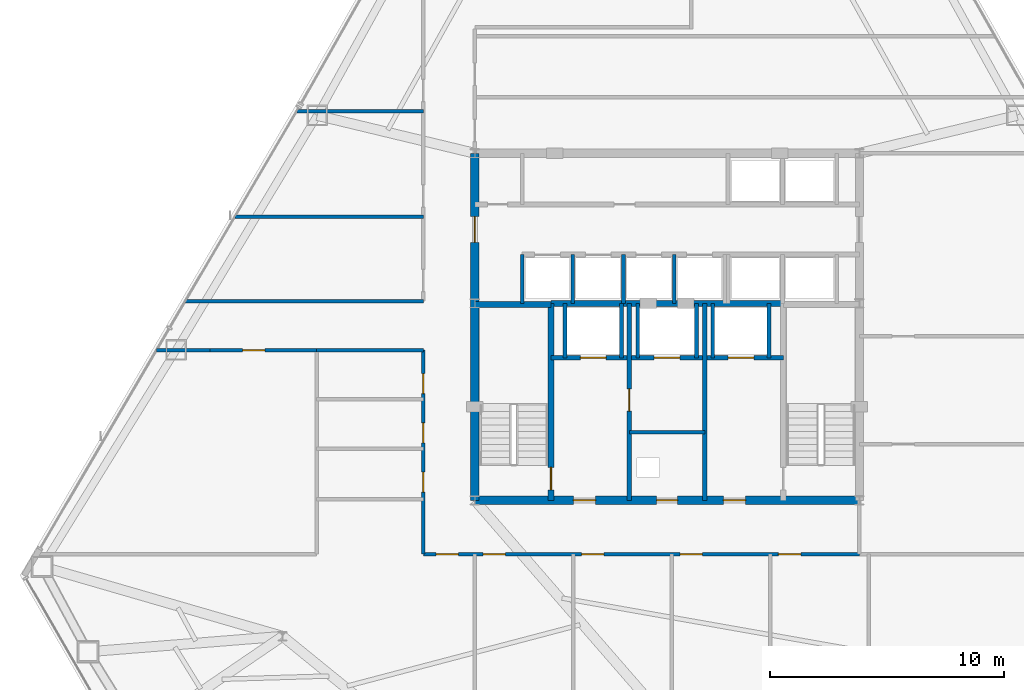
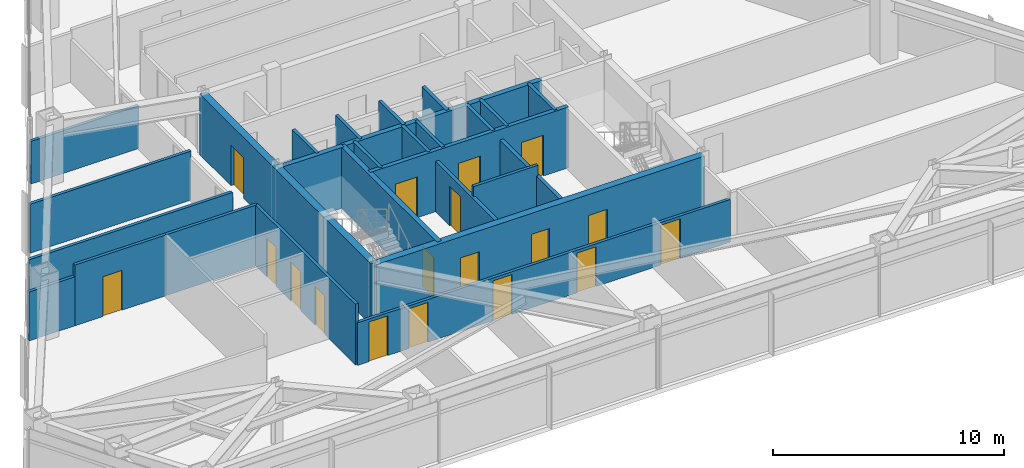
# One storey, part 10 of 13: 27 walls, 18 doors, 18 openings.
"""IFC4 building model written with IfcOpenShell, lengths in metres."""

from ifc_helpers import new_model, si_unit, direction, frame, frame_2d, origin, place, context, subcontext, project, spatial, rectangle, extrude, material, layer, layer_set, type_object, element, fill, save


model = new_model("IFC4")

# Units and contexts
model_context = context("Model", 3, precision=1e-05, world=origin(), true_north=direction((0.0, 1.0)))
body_context = subcontext(model_context, "Body", "Model", "MODEL_VIEW")
ifc_project = project(units=[si_unit("LENGTHUNIT", "METRE"), si_unit("AREAUNIT", "SQUARE_METRE"), si_unit("VOLUMEUNIT", "CUBIC_METRE"), si_unit("PLANEANGLEUNIT", "RADIAN"), si_unit("MASSUNIT", "GRAM", prefix="KILO")], contexts=[model_context])

# Site, building, storey
site_placement = place(None, origin())
site = spatial("IfcSite", under=ifc_project, at=site_placement, CompositionType="ELEMENT")
building_placement = place(site_placement, origin())
building = spatial("IfcBuilding", under=site, at=building_placement, Name="Varakhsha Concourse Tower", CompositionType="ELEMENT")
storey_placement = place(building_placement, frame((0.0, 0.0, 133.25)))
storey = spatial("IfcBuildingStorey", under=building, at=storey_placement, Name="L38", CompositionType="ELEMENT", Elevation=133.25)

# Wall, openings, doors
ifc_material_1 = material(Name="Concrete fc 65 MPa", Category="concrete")
ifc_layer_1 = layer(ifc_material_1, 0.35009765625, Name="WL-CORE-350")
ifc_layer_set_1 = layer_set([ifc_layer_1], Name="Concrete fc 65 MPa")
wall_type_1 = type_object("IfcWallType", Name="WL-CORE-350", PredefinedType="SHEAR", material=ifc_layer_set_1)
wall_1_placement = place(storey_placement, frame((31.800048828125, 16.39990234375, 0.0), z_axis=(0.0, 0.0, 1.0), x_axis=(1.0, 0.0, 0.0)))
wall_1 = element("IfcWall", 1, at=wall_1_placement, inside=storey, type_object=wall_type_1, Name="L38 Wall CWALL-S-L38", PredefinedType="SHEAR", context=body_context, shape_type="SweptSolid", body=[
    extrude(rectangle(XDim=16.39990234375, YDim=0.35009765625, at=frame_2d((8.199951171875, 0.0))), origin(), (0.0, 0.0, 1.0), 3.2099609375),
])
opening_1_placement = place(wall_1_placement, frame((7.75, 0.0, 0.0)))
opening_1 = element("IfcOpeningElement", 2, at=opening_1_placement, cuts=wall_1, Name="Opening DF-06", PredefinedType="OPENING", context=body_context, shape_type="SweptSolid", body=[
    extrude(rectangle(XDim=0.89990234375, YDim=2.10009765625, at=frame_2d((0.449951171875, 1.050048828125))), frame((0.0, 0.18505859375, 0.0), z_axis=(0.0, -1.0, 0.0), x_axis=(1.0, 0.0, 0.0)), (0.0, 0.0, 1.0), 0.3701171875),
])
opening_2_placement = place(wall_1_placement, frame((4.199951171875, 0.0, 0.0)))
opening_2 = element("IfcOpeningElement", 3, at=opening_2_placement, cuts=wall_1, Name="Opening DF-05", PredefinedType="OPENING", context=body_context, shape_type="SweptSolid", body=[
    extrude(rectangle(XDim=0.949951171875, YDim=2.10009765625, at=frame_2d((0.47509765625, 1.050048828125))), frame((0.0, 0.18505859375, 0.0), z_axis=(0.0, -1.0, 0.0), x_axis=(1.0, 0.0, 0.0)), (0.0, 0.0, 1.0), 0.3701171875),
])
opening_3_placement = place(wall_1_placement, frame((10.60009765625, 0.0, 0.0)))
opening_3 = element("IfcOpeningElement", 4, at=opening_3_placement, cuts=wall_1, Name="Opening DF-05", PredefinedType="OPENING", context=body_context, shape_type="SweptSolid", body=[
    extrude(rectangle(XDim=0.949951171875, YDim=2.10009765625, at=frame_2d((0.47509765625, 1.050048828125))), frame((0.0, 0.18505859375, 0.0), z_axis=(0.0, -1.0, 0.0), x_axis=(1.0, 0.0, 0.0)), (0.0, 0.0, 1.0), 0.3701171875),
])
ifc_material_2 = material(Name="Hollow Galvanised Steel Fire Door Assembly", Category="steel")
door_type_1 = type_object("IfcDoorType", Name="DR-FD60-900", OperationType="NOTDEFINED", PredefinedType="DOOR", material=ifc_material_2)
door_1_placement = place(opening_1_placement, origin())
door_1 = element("IfcDoor", 5, at=door_1_placement, inside=storey, type_object=door_type_1, Name="L38 Electrical Riser Access Door", OperationType="SINGLE_SWING_LEFT", OverallHeight=2.10009765625, OverallWidth=0.89990234375, PredefinedType="DOOR", context=body_context, shape_type="SweptSolid", body=[
    extrude(rectangle(XDim=0.89990234375, YDim=2.10009765625, at=frame_2d((0.449951171875, 1.050048828125))), frame((0.0, 0.02490234375, 0.0), z_axis=(0.0, -1.0, 0.0), x_axis=(1.0, 0.0, 0.0)), (0.0, 0.0, 1.0), 0.050048828125),
])
fill(opening_1, door_1)
door_type_2 = type_object("IfcDoorType", Name="DR-FD60-950", OperationType="NOTDEFINED", PredefinedType="DOOR", material=ifc_material_2)
door_2_placement = place(opening_2_placement, origin())
door_2 = element("IfcDoor", 6, at=door_2_placement, inside=storey, type_object=door_type_2, Name="L38 Firefighting Lobby West Door", OperationType="SINGLE_SWING_RIGHT", OverallHeight=2.10009765625, OverallWidth=0.949951171875, PredefinedType="DOOR", context=body_context, shape_type="SweptSolid", body=[
    extrude(rectangle(XDim=0.949951171875, YDim=2.10009765625, at=frame_2d((0.47509765625, 1.050048828125))), frame((0.0, 0.02490234375, 0.0), z_axis=(0.0, -1.0, 0.0), x_axis=(1.0, 0.0, 0.0)), (0.0, 0.0, 1.0), 0.050048828125),
])
fill(opening_2, door_2)
door_3_placement = place(opening_3_placement, origin())
door_3 = element("IfcDoor", 7, at=door_3_placement, inside=storey, type_object=door_type_2, Name="L38 Firefighting Lobby East Door", OperationType="SINGLE_SWING_LEFT", OverallHeight=2.10009765625, OverallWidth=0.949951171875, PredefinedType="DOOR", context=body_context, shape_type="SweptSolid", body=[
    extrude(rectangle(XDim=0.949951171875, YDim=2.10009765625, at=frame_2d((0.47509765625, 1.050048828125))), frame((0.0, 0.02490234375, 0.0), z_axis=(0.0, -1.0, 0.0), x_axis=(1.0, 0.0, 0.0)), (0.0, 0.0, 1.0), 0.050048828125),
])
fill(opening_3, door_3)

# Wall, opening, door
wall_2_placement = place(storey_placement, frame((31.800048828125, 16.39990234375, 0.0), z_axis=(0.0, 0.0, 1.0), x_axis=(0.0, 1.0, 0.0)))
wall_2 = element("IfcWall", 8, at=wall_2_placement, inside=storey, type_object=wall_type_1, Name="L38 Wall CWALL-W-L38", PredefinedType="SHEAR", context=body_context, shape_type="SweptSolid", body=[
    extrude(rectangle(XDim=14.800048828125, YDim=0.35009765625, at=frame_2d((7.39990234375, 0.0))), origin(), (0.0, 0.0, 1.0), 3.2099609375),
])
opening_4_placement = place(wall_2_placement, frame((11.0, 0.0, 0.0)))
opening_4 = element("IfcOpeningElement", 9, at=opening_4_placement, cuts=wall_2, Name="Opening DL-01", PredefinedType="OPENING", context=body_context, shape_type="SweptSolid", body=[
    extrude(rectangle(XDim=1.10009765625, YDim=2.14990234375, at=frame_2d((0.550048828125, 1.074951171875))), frame((0.0, 0.18505859375, 0.0), z_axis=(0.0, -1.0, 0.0), x_axis=(1.0, 0.0, 0.0)), (0.0, 0.0, 1.0), 0.3701171875),
])
ifc_material_3 = material(Name="Anodised Bronze Architectural Aluminium AA 6063-T6", Category="aluminium")
door_type_3 = type_object("IfcDoorType", Name="DR-LOB-1100", OperationType="NOTDEFINED", PredefinedType="DOOR", material=ifc_material_3)
door_4_placement = place(opening_4_placement, origin())
door_4 = element("IfcDoor", 10, at=door_4_placement, inside=storey, type_object=door_type_3, Name="L38 Lift Lobby West Concourse Door", OperationType="SINGLE_SWING_LEFT", OverallHeight=2.14990234375, OverallWidth=1.10009765625, PredefinedType="DOOR", context=body_context, shape_type="SweptSolid", body=[
    extrude(rectangle(XDim=1.10009765625, YDim=2.14990234375, at=frame_2d((0.550048828125, 1.074951171875))), frame((0.0, 0.02490234375, 0.0), z_axis=(0.0, -1.0, 0.0), x_axis=(1.0, 0.0, 0.0)), (0.0, 0.0, 1.0), 0.050048828125),
])
fill(opening_4, door_4)

ifc_material_4 = material(Name="Fire-Rated Type X Gypsum Partition Assembly", Category="gypsum")
ifc_layer_2 = layer(ifc_material_4, 0.179931640625, Name="WL-FFLOB-180")
ifc_layer_set_2 = layer_set([ifc_layer_2], Name="Fire-Rated Type X Gypsum Partition Assembly")
wall_type_2 = type_object("IfcWallType", Name="WL-FFLOB-180", PredefinedType="PARTITIONING", material=ifc_layer_set_2)
wall_3_placement = place(storey_placement, frame((38.389892578125, 16.39990234375, 0.0), z_axis=(0.0, 0.0, 1.0), x_axis=(0.0, 1.0, 0.0)))
wall_3 = element("IfcWall", 11, at=wall_3_placement, inside=storey, type_object=wall_type_2, Name="L38 Wall FFW-1E-L38", PredefinedType="PARTITIONING", context=body_context, shape_type="SweptSolid", body=[
    extrude(rectangle(XDim=8.400146484375, YDim=0.179931640625, at=frame_2d((4.2001953125, 0.0))), origin(), (0.0, 0.0, 1.0), 2.660888671875),
])
opening_5_placement = place(wall_3_placement, frame((3.800048828125, 0.0, 0.0)))
opening_5 = element("IfcOpeningElement", 12, at=opening_5_placement, cuts=wall_3, Name="Opening DF-05", PredefinedType="OPENING", context=body_context, shape_type="SweptSolid", body=[
    extrude(rectangle(XDim=0.949951171875, YDim=2.10009765625, at=frame_2d((0.47509765625, 1.050048828125))), frame((0.0, 0.099853515625, 0.0), z_axis=(0.0, -1.0, 0.0), x_axis=(1.0, 0.0, 0.0)), (0.0, 0.0, 1.0), 0.199951171875),
])
door_5_placement = place(opening_5_placement, origin())
door_5 = element("IfcDoor", 13, at=door_5_placement, inside=storey, type_object=door_type_2, Name="L38 Service Vestibule Door", OperationType="SINGLE_SWING_RIGHT", OverallHeight=2.10009765625, OverallWidth=0.949951171875, PredefinedType="DOOR", context=body_context, shape_type="SweptSolid", body=[
    extrude(rectangle(XDim=0.949951171875, YDim=2.10009765625, at=frame_2d((0.47509765625, 1.050048828125))), frame((0.0, 0.02490234375, 0.0), z_axis=(0.0, -1.0, 0.0), x_axis=(1.0, 0.0, 0.0)), (0.0, 0.0, 1.0), 0.050048828125),
])
fill(opening_5, door_5)

# Walls
wall_4_placement = place(storey_placement, frame((41.610107421875, 16.39990234375, 0.0), z_axis=(0.0, 0.0, 1.0), x_axis=(0.0, 1.0, 0.0)))
element("IfcWall", 14, at=wall_4_placement, inside=storey, type_object=wall_type_2, Name="L38 Wall FFW-2W-L38", PredefinedType="PARTITIONING", context=body_context, shape_type="SweptSolid", body=[
    extrude(rectangle(XDim=8.400146484375, YDim=0.179931640625, at=frame_2d((4.2001953125, 0.0))), origin(), (0.0, 0.0, 1.0), 2.660888671875),
])
ifc_layer_3 = layer(ifc_material_4, 0.14990234375, Name="WL-PART-150")
ifc_layer_set_3 = layer_set([ifc_layer_3], Name="Fire-Rated Type X Gypsum Partition Assembly")
wall_type_3 = type_object("IfcWallType", Name="WL-PART-150", PredefinedType="PARTITIONING", material=ifc_layer_set_3)
wall_5_placement = place(storey_placement, frame((38.389892578125, 19.300048828125, 0.0), z_axis=(0.0, 0.0, 1.0), x_axis=(1.0, 0.0, 0.0)))
element("IfcWall", 15, at=wall_5_placement, inside=storey, type_object=wall_type_3, Name="L38 Wall RSW-H-L38", PredefinedType="PARTITIONING", context=body_context, shape_type="SweptSolid", body=[
    extrude(rectangle(XDim=3.22021484375, YDim=0.14990234375, at=frame_2d((1.610107421875, 0.0))), origin(), (0.0, 0.0, 1.0), 3.2099609375),
])

# Wall, openings, doors
wall_6_placement = place(storey_placement, frame((29.60009765625, 14.10009765625, 0.0), z_axis=(0.0, 0.0, 1.0), x_axis=(1.0, 0.0, 0.0)))
wall_6 = element("IfcWall", 16, at=wall_6_placement, inside=storey, type_object=wall_type_3, Name="L38 Wall CRW-S-L38", PredefinedType="PARTITIONING", context=body_context, shape_type="SweptSolid", body=[
    extrude(rectangle(XDim=18.599853515625, YDim=0.14990234375, at=frame_2d((9.2998046875, 0.0))), origin(), (0.0, 0.0, 1.0), 2.251953125),
])
opening_6_placement = place(wall_6_placement, frame((0.550048828125, 0.0, 0.0)))
opening_6 = element("IfcOpeningElement", 17, at=opening_6_placement, cuts=wall_6, Name="Opening DF-05", PredefinedType="OPENING", context=body_context, shape_type="SweptSolid", body=[
    extrude(rectangle(XDim=0.949951171875, YDim=2.10009765625, at=frame_2d((0.47509765625, 1.050048828125))), frame((0.0, 0.0849609375, 0.0), z_axis=(0.0, -1.0, 0.0), x_axis=(1.0, 0.0, 0.0)), (0.0, 0.0, 1.0), 0.169921875),
])
opening_7_placement = place(wall_6_placement, frame((2.550048828125, 0.0, 0.0)))
opening_7 = element("IfcOpeningElement", 18, at=opening_7_placement, cuts=wall_6, Name="Opening DF-05", PredefinedType="OPENING", context=body_context, shape_type="SweptSolid", body=[
    extrude(rectangle(XDim=0.949951171875, YDim=2.10009765625, at=frame_2d((0.47509765625, 1.050048828125))), frame((0.0, 0.0849609375, 0.0), z_axis=(0.0, -1.0, 0.0), x_axis=(1.0, 0.0, 0.0)), (0.0, 0.0, 1.0), 0.169921875),
])
opening_8_placement = place(wall_6_placement, frame((6.75, 0.0, 0.0)))
opening_8 = element("IfcOpeningElement", 19, at=opening_8_placement, cuts=wall_6, Name="Opening DF-05", PredefinedType="OPENING", context=body_context, shape_type="SweptSolid", body=[
    extrude(rectangle(XDim=0.949951171875, YDim=2.10009765625, at=frame_2d((0.47509765625, 1.050048828125))), frame((0.0, 0.0849609375, 0.0), z_axis=(0.0, -1.0, 0.0), x_axis=(1.0, 0.0, 0.0)), (0.0, 0.0, 1.0), 0.169921875),
])
opening_9_placement = place(wall_6_placement, frame((10.949951171875, 0.0, 0.0)))
opening_9 = element("IfcOpeningElement", 20, at=opening_9_placement, cuts=wall_6, Name="Opening DF-05", PredefinedType="OPENING", context=body_context, shape_type="SweptSolid", body=[
    extrude(rectangle(XDim=0.949951171875, YDim=2.10009765625, at=frame_2d((0.47509765625, 1.050048828125))), frame((0.0, 0.0849609375, 0.0), z_axis=(0.0, -1.0, 0.0), x_axis=(1.0, 0.0, 0.0)), (0.0, 0.0, 1.0), 0.169921875),
])
opening_10_placement = place(wall_6_placement, frame((15.14990234375, 0.0, 0.0)))
opening_10 = element("IfcOpeningElement", 21, at=opening_10_placement, cuts=wall_6, Name="Opening DF-05", PredefinedType="OPENING", context=body_context, shape_type="SweptSolid", body=[
    extrude(rectangle(XDim=0.949951171875, YDim=2.10009765625, at=frame_2d((0.47509765625, 1.050048828125))), frame((0.0, 0.0849609375, 0.0), z_axis=(0.0, -1.0, 0.0), x_axis=(1.0, 0.0, 0.0)), (0.0, 0.0, 1.0), 0.169921875),
])
door_6_placement = place(opening_6_placement, origin())
door_6 = element("IfcDoor", 22, at=door_6_placement, inside=storey, type_object=door_type_2, Name="L38 BIM Coordination Workroom L38-S1 Door", OperationType="SINGLE_SWING_LEFT", OverallHeight=2.10009765625, OverallWidth=0.949951171875, PredefinedType="DOOR", context=body_context, shape_type="SweptSolid", body=[
    extrude(rectangle(XDim=0.949951171875, YDim=2.10009765625, at=frame_2d((0.47509765625, 1.050048828125))), frame((0.0, 0.02490234375, 0.0), z_axis=(0.0, -1.0, 0.0), x_axis=(1.0, 0.0, 0.0)), (0.0, 0.0, 1.0), 0.050048828125),
])
fill(opening_6, door_6)
door_7_placement = place(opening_7_placement, origin())
door_7 = element("IfcDoor", 23, at=door_7_placement, inside=storey, type_object=door_type_2, Name="L38 Dry R&D Design Lab L38-S2 Door", OperationType="SINGLE_SWING_RIGHT", OverallHeight=2.10009765625, OverallWidth=0.949951171875, PredefinedType="DOOR", context=body_context, shape_type="SweptSolid", body=[
    extrude(rectangle(XDim=0.949951171875, YDim=2.10009765625, at=frame_2d((0.47509765625, 1.050048828125))), frame((0.0, 0.02490234375, 0.0), z_axis=(0.0, -1.0, 0.0), x_axis=(1.0, 0.0, 0.0)), (0.0, 0.0, 1.0), 0.050048828125),
])
fill(opening_7, door_7)
door_8_placement = place(opening_8_placement, origin())
door_8 = element("IfcDoor", 24, at=door_8_placement, inside=storey, type_object=door_type_2, Name="L38 Dry R&D Design Lab L38-S3 Door", OperationType="SINGLE_SWING_LEFT", OverallHeight=2.10009765625, OverallWidth=0.949951171875, PredefinedType="DOOR", context=body_context, shape_type="SweptSolid", body=[
    extrude(rectangle(XDim=0.949951171875, YDim=2.10009765625, at=frame_2d((0.47509765625, 1.050048828125))), frame((0.0, 0.02490234375, 0.0), z_axis=(0.0, -1.0, 0.0), x_axis=(1.0, 0.0, 0.0)), (0.0, 0.0, 1.0), 0.050048828125),
])
fill(opening_8, door_8)
door_9_placement = place(opening_9_placement, origin())
door_9 = element("IfcDoor", 25, at=door_9_placement, inside=storey, type_object=door_type_2, Name="L38 Dry R&D Design Lab L38-S4 Door", OperationType="SINGLE_SWING_RIGHT", OverallHeight=2.10009765625, OverallWidth=0.949951171875, PredefinedType="DOOR", context=body_context, shape_type="SweptSolid", body=[
    extrude(rectangle(XDim=0.949951171875, YDim=2.10009765625, at=frame_2d((0.47509765625, 1.050048828125))), frame((0.0, 0.02490234375, 0.0), z_axis=(0.0, -1.0, 0.0), x_axis=(1.0, 0.0, 0.0)), (0.0, 0.0, 1.0), 0.050048828125),
])
fill(opening_9, door_9)
door_10_placement = place(opening_10_placement, origin())
door_10 = element("IfcDoor", 26, at=door_10_placement, inside=storey, type_object=door_type_2, Name="L38 Dry R&D Design Lab L38-S5 Door", OperationType="SINGLE_SWING_LEFT", OverallHeight=2.10009765625, OverallWidth=0.949951171875, PredefinedType="DOOR", context=body_context, shape_type="SweptSolid", body=[
    extrude(rectangle(XDim=0.949951171875, YDim=2.10009765625, at=frame_2d((0.47509765625, 1.050048828125))), frame((0.0, 0.02490234375, 0.0), z_axis=(0.0, -1.0, 0.0), x_axis=(1.0, 0.0, 0.0)), (0.0, 0.0, 1.0), 0.050048828125),
])
fill(opening_10, door_10)

wall_7_placement = place(storey_placement, frame((29.60009765625, 14.10009765625, 0.0), z_axis=(0.0, 0.0, 1.0), x_axis=(0.0, 1.0, 0.0)))
wall_7 = element("IfcWall", 27, at=wall_7_placement, inside=storey, type_object=wall_type_3, Name="L38 Wall CRW-WS-L38", PredefinedType="PARTITIONING", context=body_context, shape_type="SweptSolid", body=[
    extrude(rectangle(XDim=8.699951171875, YDim=0.14990234375, at=frame_2d((4.35009765625, 0.0))), origin(), (0.0, 0.0, 1.0), 3.2099609375),
])
opening_11_placement = place(wall_7_placement, frame((2.64990234375, 0.0, 0.0)))
opening_11 = element("IfcOpeningElement", 28, at=opening_11_placement, cuts=wall_7, Name="Opening DF-07", PredefinedType="OPENING", context=body_context, shape_type="SweptSolid", body=[
    extrude(rectangle(XDim=0.85009765625, YDim=2.050048828125, at=frame_2d((0.425048828125, 1.02490234375))), frame((0.0, 0.0849609375, 0.0), z_axis=(0.0, -1.0, 0.0), x_axis=(1.0, 0.0, 0.0)), (0.0, 0.0, 1.0), 0.169921875),
])
opening_12_placement = place(wall_7_placement, frame((4.75, 0.0, 0.0)))
opening_12 = element("IfcOpeningElement", 29, at=opening_12_placement, cuts=wall_7, Name="Opening DF-07", PredefinedType="OPENING", context=body_context, shape_type="SweptSolid", body=[
    extrude(rectangle(XDim=0.85009765625, YDim=2.050048828125, at=frame_2d((0.425048828125, 1.02490234375))), frame((0.0, 0.0849609375, 0.0), z_axis=(0.0, -1.0, 0.0), x_axis=(1.0, 0.0, 0.0)), (0.0, 0.0, 1.0), 0.169921875),
])
opening_13_placement = place(wall_7_placement, frame((6.85009765625, 0.0, 0.0)))
opening_13 = element("IfcOpeningElement", 30, at=opening_13_placement, cuts=wall_7, Name="Opening DF-07", PredefinedType="OPENING", context=body_context, shape_type="SweptSolid", body=[
    extrude(rectangle(XDim=0.85009765625, YDim=2.050048828125, at=frame_2d((0.425048828125, 1.02490234375))), frame((0.0, 0.0849609375, 0.0), z_axis=(0.0, -1.0, 0.0), x_axis=(1.0, 0.0, 0.0)), (0.0, 0.0, 1.0), 0.169921875),
])
door_type_4 = type_object("IfcDoorType", Name="DR-FD60-850", OperationType="NOTDEFINED", PredefinedType="DOOR", material=ifc_material_2)
door_11_placement = place(opening_11_placement, origin())
door_11 = element("IfcDoor", 31, at=door_11_placement, inside=storey, type_object=door_type_4, Name="L38 Men Restroom WC Door", OperationType="SINGLE_SWING_LEFT", OverallHeight=2.050048828125, OverallWidth=0.85009765625, PredefinedType="DOOR", context=body_context, shape_type="SweptSolid", body=[
    extrude(rectangle(XDim=0.85009765625, YDim=2.050048828125, at=frame_2d((0.425048828125, 1.02490234375))), frame((0.0, 0.02490234375, 0.0), z_axis=(0.0, -1.0, 0.0), x_axis=(1.0, 0.0, 0.0)), (0.0, 0.0, 1.0), 0.050048828125),
])
fill(opening_11, door_11)
door_12_placement = place(opening_12_placement, origin())
door_12 = element("IfcDoor", 32, at=door_12_placement, inside=storey, type_object=door_type_4, Name="L38 Women Restroom WC Door", OperationType="SINGLE_SWING_LEFT", OverallHeight=2.050048828125, OverallWidth=0.85009765625, PredefinedType="DOOR", context=body_context, shape_type="SweptSolid", body=[
    extrude(rectangle(XDim=0.85009765625, YDim=2.050048828125, at=frame_2d((0.425048828125, 1.02490234375))), frame((0.0, 0.02490234375, 0.0), z_axis=(0.0, -1.0, 0.0), x_axis=(1.0, 0.0, 0.0)), (0.0, 0.0, 1.0), 0.050048828125),
])
fill(opening_12, door_12)
door_13_placement = place(opening_13_placement, origin())
door_13 = element("IfcDoor", 33, at=door_13_placement, inside=storey, type_object=door_type_4, Name="L38 Accessible WC Door", OperationType="SINGLE_SWING_LEFT", OverallHeight=2.050048828125, OverallWidth=0.85009765625, PredefinedType="DOOR", context=body_context, shape_type="SweptSolid", body=[
    extrude(rectangle(XDim=0.85009765625, YDim=2.050048828125, at=frame_2d((0.425048828125, 1.02490234375))), frame((0.0, 0.02490234375, 0.0), z_axis=(0.0, -1.0, 0.0), x_axis=(1.0, 0.0, 0.0)), (0.0, 0.0, 1.0), 0.050048828125),
])
fill(opening_13, door_13)

# Walls
wall_8_placement = place(storey_placement, frame((18.2236328125, 22.800048828125, 0.0), z_axis=(0.0, 0.0, 1.0), x_axis=(1.0, 0.0, 0.0)))
element("IfcWall", 34, at=wall_8_placement, inside=storey, type_object=wall_type_3, Name="L38 Wall CRW-WWS-W-L38", PredefinedType="PARTITIONING", context=body_context, shape_type="SweptSolid", body=[
    extrude(rectangle(XDim=2.2763671875, YDim=0.14990234375, at=frame_2d((1.13818359375, 0.0))), origin(), (0.0, 0.0, 1.0), 2.589111328125),
])
wall_9_placement = place(storey_placement, frame((25.050048828125, 22.800048828125, 0.0), z_axis=(0.0, 0.0, 1.0), x_axis=(1.0, 0.0, 0.0)))
element("IfcWall", 35, at=wall_9_placement, inside=storey, type_object=wall_type_3, Name="L38 Wall CRW-WWS-E-L38", PredefinedType="PARTITIONING", context=body_context, shape_type="SweptSolid", body=[
    extrude(rectangle(XDim=4.550048828125, YDim=0.14990234375, at=frame_2d((2.27490234375, 0.0))), origin(), (0.0, 0.0, 1.0), 3.2099609375),
])
wall_10_placement = place(storey_placement, frame((19.455078125, 24.89990234375, 0.0), z_axis=(0.0, 0.0, 1.0), x_axis=(1.0, 0.0, 0.0)))
element("IfcWall", 36, at=wall_10_placement, inside=storey, type_object=wall_type_3, Name="L38 Wall CRW-WWN-L38", PredefinedType="PARTITIONING", context=body_context, shape_type="SweptSolid", body=[
    extrude(rectangle(XDim=10.14501953125, YDim=0.14990234375, at=frame_2d((5.072509765625, 0.0))), origin(), (0.0, 0.0, 1.0), 2.589111328125),
])

# Wall, opening, door
wall_11_placement = place(storey_placement, frame((20.5, 22.800048828125, 0.0), z_axis=(0.0, 0.0, 1.0), x_axis=(1.0, 0.0, 0.0)))
wall_11 = element("IfcWall", 37, at=wall_11_placement, inside=storey, type_object=wall_type_3, Name="L38 Wall CRW-WWS-DOOR-L38", PredefinedType="PARTITIONING", context=body_context, shape_type="SweptSolid", body=[
    extrude(rectangle(XDim=4.550048828125, YDim=0.14990234375, at=frame_2d((2.27490234375, 0.0))), origin(), (0.0, 0.0, 1.0), 3.2099609375),
])
opening_14_placement = place(wall_11_placement, frame((1.39990234375, 0.0, 0.0)))
opening_14 = element("IfcOpeningElement", 38, at=opening_14_placement, cuts=wall_11, Name="Opening DF-05", PredefinedType="OPENING", context=body_context, shape_type="SweptSolid", body=[
    extrude(rectangle(XDim=0.949951171875, YDim=2.10009765625, at=frame_2d((0.47509765625, 1.050048828125))), frame((0.0, 0.0849609375, 0.0), z_axis=(0.0, -1.0, 0.0), x_axis=(1.0, 0.0, 0.0)), (0.0, 0.0, 1.0), 0.169921875),
])
door_14_placement = place(opening_14_placement, origin())
door_14 = element("IfcDoor", 39, at=door_14_placement, inside=storey, type_object=door_type_2, Name="L38 Instrumentation Calibration Studio L38-SW Door", OperationType="SINGLE_SWING_LEFT", OverallHeight=2.10009765625, OverallWidth=0.949951171875, PredefinedType="DOOR", context=body_context, shape_type="SweptSolid", body=[
    extrude(rectangle(XDim=0.949951171875, YDim=2.10009765625, at=frame_2d((0.47509765625, 1.050048828125))), frame((0.0, 0.02490234375, 0.0), z_axis=(0.0, -1.0, 0.0), x_axis=(1.0, 0.0, 0.0)), (0.0, 0.0, 1.0), 0.050048828125),
])
fill(opening_14, door_14)

# Walls
wall_12_placement = place(storey_placement, frame((21.56640625, 28.5, 0.0), z_axis=(0.0, 0.0, 1.0), x_axis=(1.0, 0.0, 0.0)))
element("IfcWall", 40, at=wall_12_placement, inside=storey, type_object=wall_type_3, Name="L38 Wall ODIV-W1-L38", PredefinedType="PARTITIONING", context=body_context, shape_type="SweptSolid", body=[
    extrude(rectangle(XDim=8.03369140625, YDim=0.14990234375, at=frame_2d((4.016845703125, 0.0))), origin(), (0.0, 0.0, 1.0), 2.589111328125),
])
wall_13_placement = place(storey_placement, frame((24.205322265625, 33.0, 0.0), z_axis=(0.0, 0.0, 1.0), x_axis=(1.0, 0.0, 0.0)))
element("IfcWall", 41, at=wall_13_placement, inside=storey, type_object=wall_type_3, Name="L38 Wall ODIV-W2-L38", PredefinedType="PARTITIONING", context=body_context, shape_type="SweptSolid", body=[
    extrude(rectangle(XDim=5.394775390625, YDim=0.14990234375, at=frame_2d((2.697265625, 0.0))), origin(), (0.0, 0.0, 1.0), 2.251953125),
])

# Wall, openings, doors
ifc_layer_4 = layer(ifc_material_4, 0.199951171875, Name="WL-SHAFT-220")
ifc_layer_set_4 = layer_set([ifc_layer_4], Name="Fire-Rated Type X Gypsum Partition Assembly")
wall_type_4 = type_object("IfcWallType", Name="WL-SHAFT-220", PredefinedType="SOLIDWALL", material=ifc_layer_set_4)
wall_14_placement = place(storey_placement, frame((35.044921875, 22.47998046875, 0.0), z_axis=(0.0, 0.0, 1.0), x_axis=(1.0, 0.0, 0.0)))
wall_14 = element("IfcWall", 42, at=wall_14_placement, inside=storey, type_object=wall_type_4, Name="L38 Wall FFW-NH-L38", PredefinedType="SOLIDWALL", context=body_context, shape_type="SweptSolid", body=[
    extrude(rectangle(XDim=9.91015625, YDim=0.199951171875, at=frame_2d((4.955078125, 0.0))), origin(), (0.0, 0.0, 1.0), 3.2099609375),
])
opening_15_placement = place(wall_14_placement, frame((1.2548828125, 0.0, 0.0)))
opening_15 = element("IfcOpeningElement", 43, at=opening_15_placement, cuts=wall_14, Name="Opening LD-FFL-1", PredefinedType="OPENING", context=body_context, shape_type="SweptSolid", body=[
    extrude(rectangle(XDim=1.10009765625, YDim=2.14990234375, at=frame_2d((0.550048828125, 1.074951171875))), frame((0.0, 0.10986328125, 0.0), z_axis=(0.0, -1.0, 0.0), x_axis=(1.0, 0.0, 0.0)), (0.0, 0.0, 1.0), 0.219970703125),
])
opening_16_placement = place(wall_14_placement, frame((7.554931640625, 0.0, 0.0)))
opening_16 = element("IfcOpeningElement", 44, at=opening_16_placement, cuts=wall_14, Name="Opening LD-FFL-2", PredefinedType="OPENING", context=body_context, shape_type="SweptSolid", body=[
    extrude(rectangle(XDim=1.10009765625, YDim=2.14990234375, at=frame_2d((0.550048828125, 1.074951171875))), frame((0.0, 0.10986328125, 0.0), z_axis=(0.0, -1.0, 0.0), x_axis=(1.0, 0.0, 0.0)), (0.0, 0.0, 1.0), 0.219970703125),
])
opening_17_placement = place(wall_14_placement, frame((4.405029296875, 0.0, 0.0)))
opening_17 = element("IfcOpeningElement", 45, at=opening_17_placement, cuts=wall_14, Name="Opening LD-SVL-1", PredefinedType="OPENING", context=body_context, shape_type="SweptSolid", body=[
    extrude(rectangle(XDim=1.10009765625, YDim=2.14990234375, at=frame_2d((0.550048828125, 1.074951171875))), frame((0.0, 0.10986328125, 0.0), z_axis=(0.0, -1.0, 0.0), x_axis=(1.0, 0.0, 0.0)), (0.0, 0.0, 1.0), 0.219970703125),
])
ifc_material_5 = material(Name="Brushed Austenitic Stainless Steel AISI 316", Category="steel")
door_type_5 = type_object("IfcDoorType", Name="DR-LD-1100", OperationType="DOUBLE_DOOR_SLIDING", PredefinedType="DOOR", material=ifc_material_5)
door_15_placement = place(opening_15_placement, origin())
door_15 = element("IfcDoor", 46, at=door_15_placement, inside=storey, type_object=door_type_5, Name="Lift Landing Door FFL-1 L38", OperationType="DOUBLE_DOOR_SLIDING", OverallHeight=2.14990234375, OverallWidth=1.10009765625, PredefinedType="DOOR", context=body_context, shape_type="SweptSolid", body=[
    extrude(rectangle(XDim=1.10009765625, YDim=2.14990234375, at=frame_2d((0.550048828125, 1.074951171875))), frame((0.0, 0.02490234375, 0.0), z_axis=(0.0, -1.0, 0.0), x_axis=(1.0, 0.0, 0.0)), (0.0, 0.0, 1.0), 0.050048828125),
])
fill(opening_15, door_15)
door_16_placement = place(opening_16_placement, origin())
door_16 = element("IfcDoor", 47, at=door_16_placement, inside=storey, type_object=door_type_5, Name="Lift Landing Door FFL-2 L38", OperationType="DOUBLE_DOOR_SLIDING", OverallHeight=2.14990234375, OverallWidth=1.10009765625, PredefinedType="DOOR", context=body_context, shape_type="SweptSolid", body=[
    extrude(rectangle(XDim=1.10009765625, YDim=2.14990234375, at=frame_2d((0.550048828125, 1.074951171875))), frame((0.0, 0.02490234375, 0.0), z_axis=(0.0, -1.0, 0.0), x_axis=(1.0, 0.0, 0.0)), (0.0, 0.0, 1.0), 0.050048828125),
])
fill(opening_16, door_16)
door_17_placement = place(opening_17_placement, origin())
door_17 = element("IfcDoor", 48, at=door_17_placement, inside=storey, type_object=door_type_5, Name="Lift Landing Door SVL-1 L38", OperationType="DOUBLE_DOOR_SLIDING", OverallHeight=2.14990234375, OverallWidth=1.10009765625, PredefinedType="DOOR", context=body_context, shape_type="SweptSolid", body=[
    extrude(rectangle(XDim=1.10009765625, YDim=2.14990234375, at=frame_2d((0.550048828125, 1.074951171875))), frame((0.0, 0.02490234375, 0.0), z_axis=(0.0, -1.0, 0.0), x_axis=(1.0, 0.0, 0.0)), (0.0, 0.0, 1.0), 0.050048828125),
])
fill(opening_17, door_17)

# Walls
for number, where, z_axis, x_axis, name in (
    (49, (35.64990234375, 22.47998046875, 0.0), (0.0, 0.0, 1.0), (0.0, 1.0, 0.0), "L38 Wall SHW-FFL-1-W-L38"),
    (50, (38.050048828125, 22.47998046875, 0.0), (0.0, 0.0, 1.0), (0.0, 1.0, 0.0), "L38 Wall SHW-FFL-1-E-L38"),
    (51, (41.949951171875, 22.47998046875, 0.0), (0.0, 0.0, 1.0), (0.0, 1.0, 0.0), "L38 Wall SHW-FFL-2-W-L38"),
    (52, (44.35009765625, 22.47998046875, 0.0), (0.0, 0.0, 1.0), (0.0, 1.0, 0.0), "L38 Wall SHW-FFL-2-E-L38"),
    (53, (38.75, 22.47998046875, 0.0), (0.0, 0.0, 1.0), (0.0, 1.0, 0.0), "L38 Wall SHW-SVL-1-W-L38"),
    (54, (41.25, 22.47998046875, 0.0), (0.0, 0.0, 1.0), (0.0, 1.0, 0.0), "L38 Wall SHW-SVL-1-E-L38"),
):
    element("IfcWall", number, at=place(storey_placement, frame(where, z_axis=z_axis, x_axis=x_axis)), inside=storey, type_object=wall_type_4, Name=name, PredefinedType="SOLIDWALL", context=body_context, shape_type="SweptSolid", body=[
        extrude(rectangle(XDim=2.320068359375, YDim=0.159912109375, at=frame_2d((1.16015625, 0.0))), origin(), (0.0, 0.0, 1.0), 3.2099609375),
    ])
for number, where, z_axis, x_axis, name in (
    (55, (33.820068359375, 24.800048828125, 0.0), (0.0, 0.0, 1.0), (0.0, 1.0, 0.0), "L38 Wall WBOH-E2-L38"),
    (56, (35.97998046875, 24.800048828125, 0.0), (0.0, 0.0, 1.0), (0.0, 1.0, 0.0), "L38 Wall SHW-LF-P05-E-L38"),
    (57, (38.139892578125, 24.800048828125, 0.0), (0.0, 0.0, 1.0), (0.0, 1.0, 0.0), "L38 Wall SHW-LF-P06-E-L38"),
    (58, (40.300048828125, 24.800048828125, 0.0), (0.0, 0.0, 1.0), (0.0, 1.0, 0.0), "L38 Wall SHW-LF-P07-E-L38"),
):
    element("IfcWall", number, at=place(storey_placement, frame(where, z_axis=z_axis, x_axis=x_axis)), inside=storey, type_object=wall_type_4, Name=name, PredefinedType="SOLIDWALL", context=body_context, shape_type="SweptSolid", body=[
        extrude(rectangle(XDim=2.079833984375, YDim=0.159912109375, at=frame_2d((1.0400390625, 0.0))), origin(), (0.0, 0.0, 1.0), 3.2099609375),
    ])

# Wall, opening, door
ifc_material_6 = material(Name="Concrete fc 45 MPa", Category="concrete")
ifc_layer_5 = layer(ifc_material_6, 0.25, Name="WL-STAIR-250")
ifc_layer_set_5 = layer_set([ifc_layer_5], Name="Concrete fc 45 MPa")
wall_type_5 = type_object("IfcWallType", Name="WL-STAIR-250", PredefinedType="SHEAR", material=ifc_layer_set_5)
wall_15_placement = place(storey_placement, frame((35.044921875, 16.39990234375, 0.0), z_axis=(0.0, 0.0, 1.0), x_axis=(0.0, 1.0, 0.0)))
wall_15 = element("IfcWall", 59, at=wall_15_placement, inside=storey, type_object=wall_type_5, Name="L38 Wall SWALL-ST1-E-L38", PredefinedType="SHEAR", context=body_context, shape_type="SweptSolid", body=[
    extrude(rectangle(XDim=8.400146484375, YDim=0.25, at=frame_2d((4.2001953125, 0.0))), origin(), (0.0, 0.0, 1.0), 3.2099609375),
])
opening_18_placement = place(wall_15_placement, frame((0.449951171875, 0.0, 0.0)))
opening_18 = element("IfcOpeningElement", 60, at=opening_18_placement, cuts=wall_15, Name="Opening DF-03", PredefinedType="OPENING", context=body_context, shape_type="SweptSolid", body=[
    extrude(rectangle(XDim=0.949951171875, YDim=2.10009765625, at=frame_2d((0.47509765625, 1.050048828125))), frame((0.0, 0.135009765625, 0.0), z_axis=(0.0, -1.0, 0.0), x_axis=(1.0, 0.0, 0.0)), (0.0, 0.0, 1.0), 0.27001953125),
])
door_type_6 = type_object("IfcDoorType", Name="DR-FD90-950", OperationType="NOTDEFINED", PredefinedType="DOOR", material=ifc_material_2)
door_18_placement = place(opening_18_placement, origin())
door_18 = element("IfcDoor", 61, at=door_18_placement, inside=storey, type_object=door_type_6, Name="L38 Stair ST1 Fire Door", OperationType="SINGLE_SWING_LEFT", OverallHeight=2.10009765625, OverallWidth=0.949951171875, PredefinedType="DOOR", context=body_context, shape_type="SweptSolid", body=[
    extrude(rectangle(XDim=0.949951171875, YDim=2.10009765625, at=frame_2d((0.47509765625, 1.050048828125))), frame((0.0, 0.02490234375, 0.0), z_axis=(0.0, -1.0, 0.0), x_axis=(1.0, 0.0, 0.0)), (0.0, 0.0, 1.0), 0.050048828125),
])
fill(opening_18, door_18)

# Walls
wall_16_placement = place(storey_placement, frame((31.800048828125, 24.7548828125, 0.0), z_axis=(0.0, 0.0, 1.0), x_axis=(1.0, 0.0, 0.0)))
element("IfcWall", 62, at=wall_16_placement, inside=storey, type_object=wall_type_5, Name="L38 Wall SWALL-ST1-N-L38", PredefinedType="SHEAR", context=body_context, shape_type="SweptSolid", body=[
    extrude(rectangle(XDim=3.244873046875, YDim=0.25, at=frame_2d((1.62255859375, 0.0))), origin(), (0.0, 0.0, 1.0), 3.2099609375),
])
wall_17_placement = place(storey_placement, frame((35.044921875, 24.800048828125, 0.0), z_axis=(0.0, 0.0, 1.0), x_axis=(1.0, 0.0, 0.0)))
element("IfcWall", 63, at=wall_17_placement, inside=storey, type_object=wall_type_5, Name="L38 Wall SWALL-MID-H-L38", PredefinedType="SHEAR", context=body_context, shape_type="SweptSolid", body=[
    extrude(rectangle(XDim=9.91015625, YDim=0.25, at=frame_2d((4.955078125, 0.0))), origin(), (0.0, 0.0, 1.0), 3.2099609375),
])

save(model, "model.ifc")
